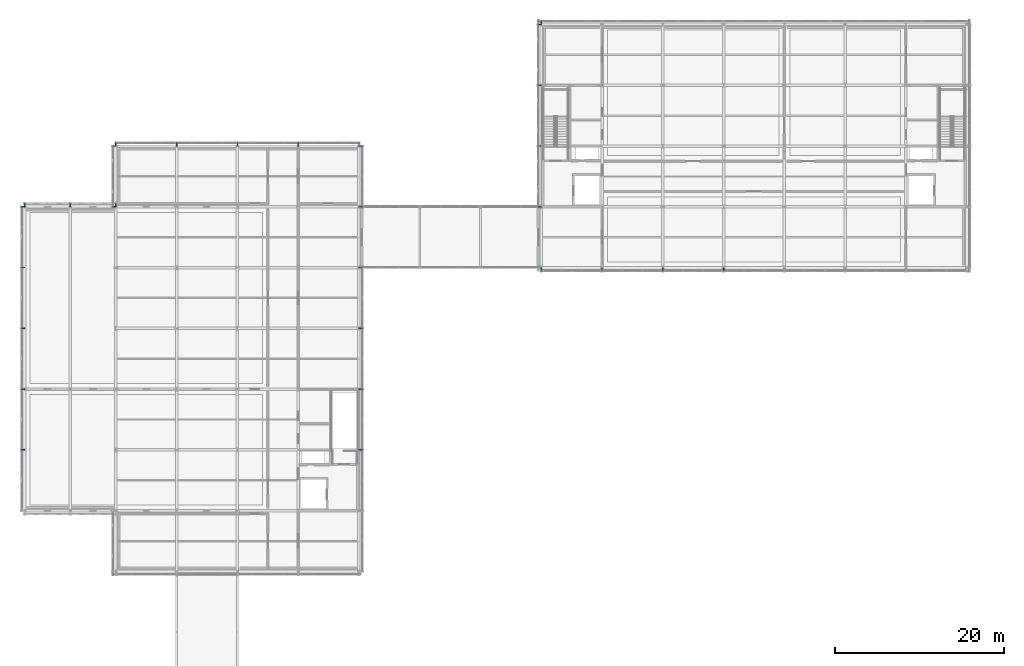
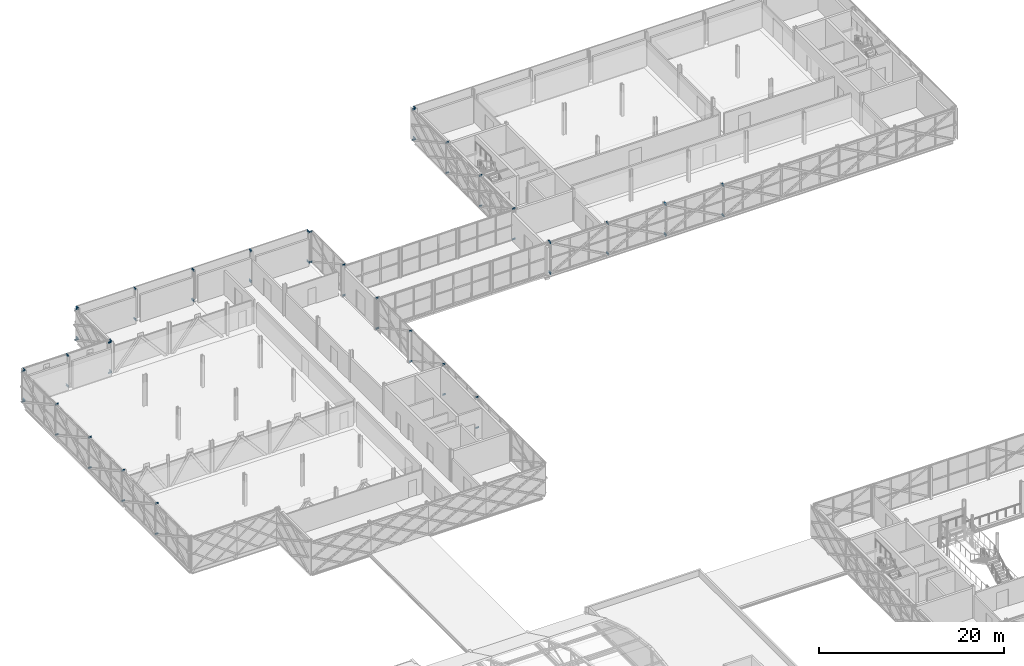
# One storey, part 63 of 103: 60 beams.
"""IFC4 building model written with IfcOpenShell, lengths in metres."""

import ifcopenshell
import ifcopenshell.guid

model = None  # the IFC model being written
_history = None  # IfcOwnerHistory: only IFC2X3 demands one
_inside = {}  # id of a spatial element -> (the spatial element, [elements in it])
_under = {}  # id of a project, library or spatial element -> (it, [spatial elements below it])
_declared = {}  # id of a project -> (the project, [libraries it declares])
_typed = {}  # id of a type object -> (the type object, [elements of that type])
_made_of = {}  # id of a material, layer set ... -> (it, [elements and type objects made of it])


def new_model(schema):
    """Start an empty IFC model of exactly this schema.

    Asked for "IFC4X3", IfcOpenShell would pick the latest addendum, in which some entities
    have other attributes; the version numbers below select the first issue.
    IFC2X3 requires an IfcOwnerHistory on every rooted entity: one is made here for all.
    """
    global model, _history
    if schema == "IFC4X3":
        model = ifcopenshell.file(schema_version=(4, 3, 0, 0))
    else:
        model = ifcopenshell.file(schema=schema)
    _inside.clear()
    _under.clear()
    _declared.clear()
    _typed.clear()
    _made_of.clear()
    _history = None
    if model.schema == "IFC2X3":
        org = make("IfcOrganization", Name="unknown")
        user = make(
            "IfcPersonAndOrganization",
            ThePerson=make("IfcPerson", FamilyName="unknown"),
            TheOrganization=org,
        )
        app = make(
            "IfcApplication",
            ApplicationDeveloper=org,
            Version="unknown",
            ApplicationFullName="unknown",
            ApplicationIdentifier="unknown",
        )
        _history = make(
            "IfcOwnerHistory",
            OwningUser=user,
            OwningApplication=app,
            ChangeAction="ADDED",
            CreationDate=0,
        )
    return model


def make(cls, **values):
    """One entity of the class cls with the attributes given. An attribute that is None is left unset."""
    return model.create_entity(
        cls, **{name: value for name, value in values.items() if value is not None}
    )


def rooted(cls, **values):
    """An entity with a GlobalId (a new one), such as an element, a storey or a relation."""
    return make(cls, GlobalId=ifcopenshell.guid.new(), OwnerHistory=_history, **values)


def si_unit(unit_type, name, prefix=None):
    """IfcSIUnit, for example si_unit("LENGTHUNIT", "METRE", prefix="MILLI")."""
    return make("IfcSIUnit", UnitType=unit_type, Prefix=prefix, Name=name)


def assignment(units):
    """IfcUnitAssignment: the units of a project."""
    return None if units is None else make("IfcUnitAssignment", Units=units)


def point(xyz):
    """IfcCartesianPoint."""
    return None if xyz is None else make("IfcCartesianPoint", Coordinates=xyz)


def direction(xyz):
    """IfcDirection."""
    return None if xyz is None else make("IfcDirection", DirectionRatios=xyz)


def frame(location, z_axis=None, x_axis=None):
    """IfcAxis2Placement3D, a coordinate frame: its origin and axes. An axis left out is left unset."""
    return make(
        "IfcAxis2Placement3D",
        Location=point(location),
        Axis=direction(z_axis),
        RefDirection=direction(x_axis),
    )


def frame_2d(location, x_axis=None):
    """IfcAxis2Placement2D, a coordinate frame in the plane: its origin and x axis."""
    return make(
        "IfcAxis2Placement2D", Location=point(location), RefDirection=direction(x_axis)
    )


def origin():
    """The frame at (0, 0, 0) with its axes left unset."""
    return frame((0.0, 0.0, 0.0))


def origin_2d():
    """The frame at (0, 0) in the plane with its x axis left unset."""
    return frame_2d((0.0, 0.0))


def place(relative_to, where):
    """IfcLocalPlacement: puts the frame where relative to a parent placement (None: the world)."""
    return make(
        "IfcLocalPlacement", PlacementRelTo=relative_to, RelativePlacement=where
    )


def context(
    kind, dimensions, precision=None, world=None, true_north=None, identifier=None
):
    """IfcGeometricRepresentationContext, for example the 3D "Model" context."""
    return make(
        "IfcGeometricRepresentationContext",
        ContextIdentifier=identifier,
        ContextType=kind,
        CoordinateSpaceDimension=dimensions,
        Precision=precision,
        WorldCoordinateSystem=world,
        TrueNorth=true_north,
    )


def subcontext(parent, identifier, kind, view, scale=None):
    """IfcGeometricRepresentationSubContext, for example "Body" below "Model"."""
    return make(
        "IfcGeometricRepresentationSubContext",
        ContextIdentifier=identifier,
        ContextType=kind,
        ParentContext=parent,
        TargetScale=scale,
        TargetView=view,
    )


def project(units=None, contexts=None):
    """IfcProject with its units and contexts."""
    return rooted(
        "IfcProject",
        Name="project",
        RepresentationContexts=contexts,
        UnitsInContext=assignment(units),
    )


def spatial(cls, under=None, at=None, **own):
    """A site, building, storey or space (cls), placed at a placement, below another one or the project."""
    s = rooted(cls, ObjectPlacement=at, **own)
    if under is not None:
        _under.setdefault(under.id(), (under, []))[1].append(s)
    return s


def profile(cls, at=None, kind="AREA", **sizes):
    """A parametric profile (cls). Its sizes go by their IFC names, for example OverallWidth=200.0."""
    return make(cls, ProfileType=kind, Position=at, **sizes)


def i_section(**sizes):
    """IfcIShapeProfileDef."""
    return profile("IfcIShapeProfileDef", **sizes)


def extrude(swept, where, along, depth):
    """IfcExtrudedAreaSolid: the profile swept, set in the frame where, extruded along a direction by depth."""
    return make(
        "IfcExtrudedAreaSolid",
        SweptArea=swept,
        Position=where,
        ExtrudedDirection=direction(along),
        Depth=depth,
    )


def shape(context_of_items, identifier, shape_type, items):
    """IfcShapeRepresentation: the items that make up one representation, for example the "Body"."""
    return make(
        "IfcShapeRepresentation",
        ContextOfItems=context_of_items,
        RepresentationIdentifier=identifier,
        RepresentationType=shape_type,
        Items=items,
    )


def material(Name=None, Category=None):
    """IfcMaterial."""
    return make("IfcMaterial", Name=Name, Category=Category)


def material_profile(
    of_material, cross_section, Name=None, Category=None, Priority=None
):
    """IfcMaterialProfile: a cross section and its material."""
    return make(
        "IfcMaterialProfile",
        Name=Name,
        Material=of_material,
        Profile=cross_section,
        Priority=Priority,
        Category=Category,
    )


def profile_set(profiles, Name=None, composite=None):
    """IfcMaterialProfileSet."""
    return make(
        "IfcMaterialProfileSet",
        Name=Name,
        MaterialProfiles=profiles,
        CompositeProfile=composite,
    )


def made_of(thing, what):
    """Note that an element or type object is made of a material, layer set ...; save() writes the relation."""
    if what is not None:
        _made_of.setdefault(what.id(), (what, []))[1].append(thing)
    return thing


def type_object(cls, material=None, **own):
    """A type object (cls), such as IfcWallType, which elements share."""
    return made_of(rooted(cls, **own), material)


def element(
    cls,
    number,
    at=None,
    inside=None,
    cuts=None,
    type_object=None,
    material=None,
    context=None,
    identifier="Body",
    shape_type=None,
    held_by="IfcProductDefinitionShape",
    body=None,
    shapes=None,
    **own,
):
    """One element of the class cls, such as IfcWall. Its Tag is "e" and its number.

    at: its placement. inside: the storey or other place that contains it. cuts: it is an
    opening in that element (IfcRelVoidsElement). A single representation is given by context,
    identifier, shape_type and body (its items); several are given by shapes. held_by: the class
    of the entity that holds the representations. save() writes the other relations.
    """
    e = rooted(cls, Tag="e%d" % number, ObjectPlacement=at, **own)
    if body is not None:
        shapes = [shape(context, identifier, shape_type, body)]
    if shapes is not None:
        e.Representation = make(held_by, Representations=shapes)
    if inside is not None:
        _inside.setdefault(inside.id(), (inside, []))[1].append(e)
    if cuts is not None:
        rooted(
            "IfcRelVoidsElement", RelatingBuildingElement=cuts, RelatedOpeningElement=e
        )
    if type_object is not None:
        _typed.setdefault(type_object.id(), (type_object, []))[1].append(e)
    return made_of(e, material)


def aggregate(whole, parts):
    """IfcRelAggregates: a whole, such as a stair, and the parts it consists of."""
    return rooted("IfcRelAggregates", RelatingObject=whole, RelatedObjects=parts)


def save(model, path):
    """Write the relations noted so far, then the file.

    IfcRelAggregates (storeys below a building ...), IfcRelContainedInSpatialStructure (elements
    in a storey), IfcRelDefinesByType, IfcRelAssociatesMaterial and IfcRelDeclares: one each for
    every whole, place, type object, material and project.
    """
    for whole, parts in _under.values():
        aggregate(whole, parts)
    for where, things in _inside.values():
        rooted(
            "IfcRelContainedInSpatialStructure",
            RelatedElements=things,
            RelatingStructure=where,
        )
    for kind, things in _typed.values():
        rooted("IfcRelDefinesByType", RelatedObjects=things, RelatingType=kind)
    for what, things in _made_of.values():
        rooted("IfcRelAssociatesMaterial", RelatedObjects=things, RelatingMaterial=what)
    for by, libraries in _declared.values():
        rooted("IfcRelDeclares", RelatingContext=by, RelatedDefinitions=libraries)
    model.write(path)


model = new_model("IFC4")

# Units and contexts
model_context = context("Model", 3, precision=1e-05, world=origin(), true_north=direction((0.0, 1.0)))
body_context = subcontext(model_context, "Body", "Model", "MODEL_VIEW")
ifc_project = project(units=[si_unit("LENGTHUNIT", "METRE"), si_unit("AREAUNIT", "SQUARE_METRE"), si_unit("VOLUMEUNIT", "CUBIC_METRE"), si_unit("PLANEANGLEUNIT", "RADIAN"), si_unit("MASSUNIT", "GRAM", prefix="KILO")], contexts=[model_context])

# Site, building, storey
site_placement = place(None, origin())
site = spatial("IfcSite", under=ifc_project, at=site_placement, CompositionType="ELEMENT")
building_placement = place(site_placement, origin())
building = spatial("IfcBuilding", under=site, at=building_placement, Name="Zlatovets Crest Museum", CompositionType="ELEMENT")
storey_placement = place(building_placement, frame((0.0, 0.0, 12.89990234375)))
storey = spatial("IfcBuildingStorey", under=building, at=storey_placement, Name="L03", CompositionType="ELEMENT", Elevation=12.89990234375)

# Beams
ifc_material = material(Name="Structural steel S355J2", Category="steel")
ifc_material_profile = material_profile(ifc_material, i_section(OverallWidth=0.10009765625, OverallDepth=0.199951171875, WebThickness=0.005615234375, FlangeThickness=0.008544921875, FilletRadius=0.011962890625, at=origin_2d()), Name="IPE 200")
ifc_profile_set = profile_set([ifc_material_profile], Name="Structural steel S355J2")
beam_type = type_object("IfcBeamType", Name="Beam_PR-02", PredefinedType="LINTEL", material=ifc_profile_set)
for number, where, z_axis, x_axis, name in (
    (1, (57.60009765625, 86.39990234375, 0.10009765625), (0.0, -1.0, 0.0), (1.0, 0.0, 0.0), "Lattice Structural Outrigger Tie"),
    (2, (57.60009765625, 86.39990234375, 4.10009765625), (0.0, -1.0, 0.0), (1.0, 0.0, 0.0), "Lattice Structural Outrigger Tie"),
    (3, (64.800048828125, 86.39990234375, 0.10009765625), (0.0, -1.0, 0.0), (1.0, 0.0, 0.0), "Lattice Structural Outrigger Tie"),
    (4, (64.800048828125, 86.39990234375, 4.10009765625), (0.0, -1.0, 0.0), (1.0, 0.0, 0.0), "Lattice Structural Outrigger Tie"),
    (5, (72.0, 86.39990234375, 0.10009765625), (0.0, -1.0, 0.0), (1.0, 0.0, 0.0), "Lattice Structural Outrigger Tie"),
    (6, (72.0, 86.39990234375, 4.10009765625), (0.0, -1.0, 0.0), (1.0, 0.0, 0.0), "Lattice Structural Outrigger Tie"),
    (7, (79.199951171875, 86.39990234375, 0.10009765625), (0.0, -1.0, 0.0), (1.0, 0.0, 0.0), "Lattice Structural Outrigger Tie"),
    (8, (79.199951171875, 86.39990234375, 4.10009765625), (0.0, -1.0, 0.0), (1.0, 0.0, 0.0), "Lattice Structural Outrigger Tie"),
):
    element("IfcBeam", number, at=place(storey_placement, frame(where, z_axis=z_axis, x_axis=x_axis)), inside=storey, type_object=beam_type, Name=name, PredefinedType="LINTEL", context=body_context, shape_type="SweptSolid", body=[
        extrude(i_section(OverallWidth=0.10009765625, OverallDepth=0.199951171875, WebThickness=0.005615234375, FlangeThickness=0.008544921875, FilletRadius=0.011962890625, at=origin_2d()), origin(), (0.0, 0.0, 1.0), 0.419921875),
    ])
for number, where, z_axis, x_axis, name in (
    (9, (57.60009765625, 115.199951171875, 0.10009765625), (0.0, 1.0, 0.0), (-1.0, 0.0, 0.0), "Lattice Structural Outrigger Tie"),
    (10, (57.60009765625, 115.199951171875, 4.10009765625), (0.0, 1.0, 0.0), (-1.0, 0.0, 0.0), "Lattice Structural Outrigger Tie"),
    (11, (57.60009765625, 115.199951171875, 0.10009765625), (-1.0, 0.0, 0.0), (0.0, -1.0, 0.0), "Lattice Structural Outrigger Tie"),
    (12, (57.60009765625, 115.199951171875, 4.10009765625), (-1.0, 0.0, 0.0), (0.0, -1.0, 0.0), "Lattice Structural Outrigger Tie"),
    (13, (57.60009765625, 108.0, 0.10009765625), (-1.0, 0.0, 0.0), (0.0, -1.0, 0.0), "Lattice Structural Outrigger Tie"),
    (14, (57.60009765625, 108.0, 4.10009765625), (-1.0, 0.0, 0.0), (0.0, -1.0, 0.0), "Lattice Structural Outrigger Tie"),
    (15, (57.60009765625, 100.800048828125, 0.10009765625), (-1.0, 0.0, 0.0), (0.0, -1.0, 0.0), "Lattice Structural Outrigger Tie"),
    (16, (57.60009765625, 100.800048828125, 4.10009765625), (-1.0, 0.0, 0.0), (0.0, -1.0, 0.0), "Lattice Structural Outrigger Tie"),
    (17, (57.60009765625, 93.60009765625, 0.10009765625), (-1.0, 0.0, 0.0), (0.0, -1.0, 0.0), "Lattice Structural Outrigger Tie"),
    (18, (57.60009765625, 93.60009765625, 4.10009765625), (-1.0, 0.0, 0.0), (0.0, -1.0, 0.0), "Lattice Structural Outrigger Tie"),
):
    element("IfcBeam", number, at=place(storey_placement, frame(where, z_axis=z_axis, x_axis=x_axis)), inside=storey, type_object=beam_type, Name=name, PredefinedType="LINTEL", context=body_context, shape_type="SweptSolid", body=[
        extrude(i_section(OverallWidth=0.10009765625, OverallDepth=0.199951171875, WebThickness=0.005615234375, FlangeThickness=0.008544921875, FilletRadius=0.011962890625, at=origin_2d()), origin(), (0.0, 0.0, 1.0), 0.420166015625),
    ])
for number, where, z_axis, x_axis, name in (
    (19, (36.0, 64.800048828125, 0.10009765625), (1.0, 0.0, 0.0), (0.0, 1.0, 0.0), "Lattice Structural Outrigger Tie"),
    (20, (36.0, 64.800048828125, 4.10009765625), (1.0, 0.0, 0.0), (0.0, 1.0, 0.0), "Lattice Structural Outrigger Tie"),
    (21, (36.0, 72.0, 0.10009765625), (1.0, 0.0, 0.0), (0.0, 1.0, 0.0), "Lattice Structural Outrigger Tie"),
    (22, (36.0, 72.0, 4.10009765625), (1.0, 0.0, 0.0), (0.0, 1.0, 0.0), "Lattice Structural Outrigger Tie"),
    (23, (36.0, 79.199951171875, 0.10009765625), (1.0, 0.0, 0.0), (0.0, 1.0, 0.0), "Lattice Structural Outrigger Tie"),
    (24, (36.0, 79.199951171875, 4.10009765625), (1.0, 0.0, 0.0), (0.0, 1.0, 0.0), "Lattice Structural Outrigger Tie"),
    (25, (36.0, 86.39990234375, 0.10009765625), (1.0, 0.0, 0.0), (0.0, 1.0, 0.0), "Lattice Structural Outrigger Tie"),
    (26, (36.0, 86.39990234375, 4.10009765625), (1.0, 0.0, 0.0), (0.0, 1.0, 0.0), "Lattice Structural Outrigger Tie"),
    (27, (36.0, 93.60009765625, 0.10009765625), (1.0, 0.0, 0.0), (0.0, 1.0, 0.0), "Lattice Structural Outrigger Tie"),
    (28, (36.0, 93.60009765625, 4.10009765625), (1.0, 0.0, 0.0), (0.0, 1.0, 0.0), "Lattice Structural Outrigger Tie"),
    (29, (36.0, 100.800048828125, 0.10009765625), (1.0, 0.0, 0.0), (0.0, 1.0, 0.0), "Lattice Structural Outrigger Tie"),
    (30, (36.0, 100.800048828125, 4.10009765625), (1.0, 0.0, 0.0), (0.0, 1.0, 0.0), "Lattice Structural Outrigger Tie"),
    (31, (14.39990234375, 100.800048828125, 0.10009765625), (0.0, 1.0, 0.0), (-1.0, 0.0, 0.0), "Lattice Structural Outrigger Tie"),
    (32, (14.39990234375, 100.800048828125, 4.10009765625), (0.0, 1.0, 0.0), (-1.0, 0.0, 0.0), "Lattice Structural Outrigger Tie"),
    (33, (7.199951171875, 100.800048828125, 0.10009765625), (0.0, 1.0, 0.0), (-1.0, 0.0, 0.0), "Lattice Structural Outrigger Tie"),
    (34, (7.199951171875, 100.800048828125, 4.10009765625), (0.0, 1.0, 0.0), (-1.0, 0.0, 0.0), "Lattice Structural Outrigger Tie"),
    (35, (21.60009765625, 100.800048828125, 0.10009765625), (0.0, 1.0, 0.0), (-1.0, 0.0, 0.0), "Lattice Structural Outrigger Tie"),
    (36, (21.60009765625, 100.800048828125, 4.10009765625), (0.0, 1.0, 0.0), (-1.0, 0.0, 0.0), "Lattice Structural Outrigger Tie"),
    (37, (28.800048828125, 100.800048828125, 0.10009765625), (0.0, 1.0, 0.0), (-1.0, 0.0, 0.0), "Lattice Structural Outrigger Tie"),
    (38, (28.800048828125, 100.800048828125, 4.10009765625), (0.0, 1.0, 0.0), (-1.0, 0.0, 0.0), "Lattice Structural Outrigger Tie"),
    (39, (36.0, 100.800048828125, 0.10009765625), (0.0, 1.0, 0.0), (-1.0, 0.0, 0.0), "Lattice Structural Outrigger Tie"),
    (40, (36.0, 100.800048828125, 4.10009765625), (0.0, 1.0, 0.0), (-1.0, 0.0, 0.0), "Lattice Structural Outrigger Tie"),
    (41, (7.199951171875, 100.800048828125, 0.10009765625), (-1.0, 0.0, 0.0), (0.0, -1.0, 0.0), "Lattice Structural Outrigger Tie"),
    (42, (7.199951171875, 100.800048828125, 4.10009765625), (-1.0, 0.0, 0.0), (0.0, -1.0, 0.0), "Lattice Structural Outrigger Tie"),
    (43, (7.199951171875, 93.60009765625, 0.10009765625), (-1.0, 0.0, 0.0), (0.0, -1.0, 0.0), "Lattice Structural Outrigger Tie"),
    (44, (7.199951171875, 93.60009765625, 4.10009765625), (-1.0, 0.0, 0.0), (0.0, -1.0, 0.0), "Lattice Structural Outrigger Tie"),
    (45, (7.199951171875, 93.60009765625, 0.10009765625), (0.0, 1.0, 0.0), (-1.0, 0.0, 0.0), "Lattice Structural Outrigger Tie"),
    (46, (7.199951171875, 93.60009765625, 4.10009765625), (0.0, 1.0, 0.0), (-1.0, 0.0, 0.0), "Lattice Structural Outrigger Tie"),
    (47, (1.800048828125, 93.60009765625, 0.10009765625), (0.0, 1.0, 0.0), (-1.0, 0.0, 0.0), "Lattice Structural Outrigger Tie"),
    (48, (1.800048828125, 93.60009765625, 4.10009765625), (0.0, 1.0, 0.0), (-1.0, 0.0, 0.0), "Lattice Structural Outrigger Tie"),
    (49, (-3.60009765625, 93.60009765625, 0.10009765625), (0.0, 1.0, 0.0), (-1.0, 0.0, 0.0), "Lattice Structural Outrigger Tie"),
    (50, (-3.60009765625, 93.60009765625, 4.10009765625), (0.0, 1.0, 0.0), (-1.0, 0.0, 0.0), "Lattice Structural Outrigger Tie"),
    (51, (-3.60009765625, 93.60009765625, 0.10009765625), (-1.0, 0.0, 0.0), (0.0, -1.0, 0.0), "Lattice Structural Outrigger Tie"),
    (52, (-3.60009765625, 93.60009765625, 4.10009765625), (-1.0, 0.0, 0.0), (0.0, -1.0, 0.0), "Lattice Structural Outrigger Tie"),
    (53, (-3.60009765625, 86.39990234375, 0.10009765625), (-1.0, 0.0, 0.0), (0.0, -1.0, 0.0), "Lattice Structural Outrigger Tie"),
    (54, (-3.60009765625, 86.39990234375, 4.10009765625), (-1.0, 0.0, 0.0), (0.0, -1.0, 0.0), "Lattice Structural Outrigger Tie"),
    (55, (-3.60009765625, 79.199951171875, 0.10009765625), (-1.0, 0.0, 0.0), (0.0, -1.0, 0.0), "Lattice Structural Outrigger Tie"),
    (56, (-3.60009765625, 79.199951171875, 4.10009765625), (-1.0, 0.0, 0.0), (0.0, -1.0, 0.0), "Lattice Structural Outrigger Tie"),
    (57, (-3.60009765625, 72.0, 0.10009765625), (-1.0, 0.0, 0.0), (0.0, -1.0, 0.0), "Lattice Structural Outrigger Tie"),
    (58, (-3.60009765625, 72.0, 4.10009765625), (-1.0, 0.0, 0.0), (0.0, -1.0, 0.0), "Lattice Structural Outrigger Tie"),
    (59, (-3.60009765625, 64.800048828125, 0.10009765625), (-1.0, 0.0, 0.0), (0.0, -1.0, 0.0), "Lattice Structural Outrigger Tie"),
    (60, (-3.60009765625, 64.800048828125, 4.10009765625), (-1.0, 0.0, 0.0), (0.0, -1.0, 0.0), "Lattice Structural Outrigger Tie"),
):
    element("IfcBeam", number, at=place(storey_placement, frame(where, z_axis=z_axis, x_axis=x_axis)), inside=storey, type_object=beam_type, Name=name, PredefinedType="LINTEL", context=body_context, shape_type="SweptSolid", body=[
        extrude(i_section(OverallWidth=0.10009765625, OverallDepth=0.199951171875, WebThickness=0.005615234375, FlangeThickness=0.008544921875, FilletRadius=0.011962890625, at=origin_2d()), origin(), (0.0, 0.0, 1.0), 0.419921875),
    ])

save(model, "model.ifc")
